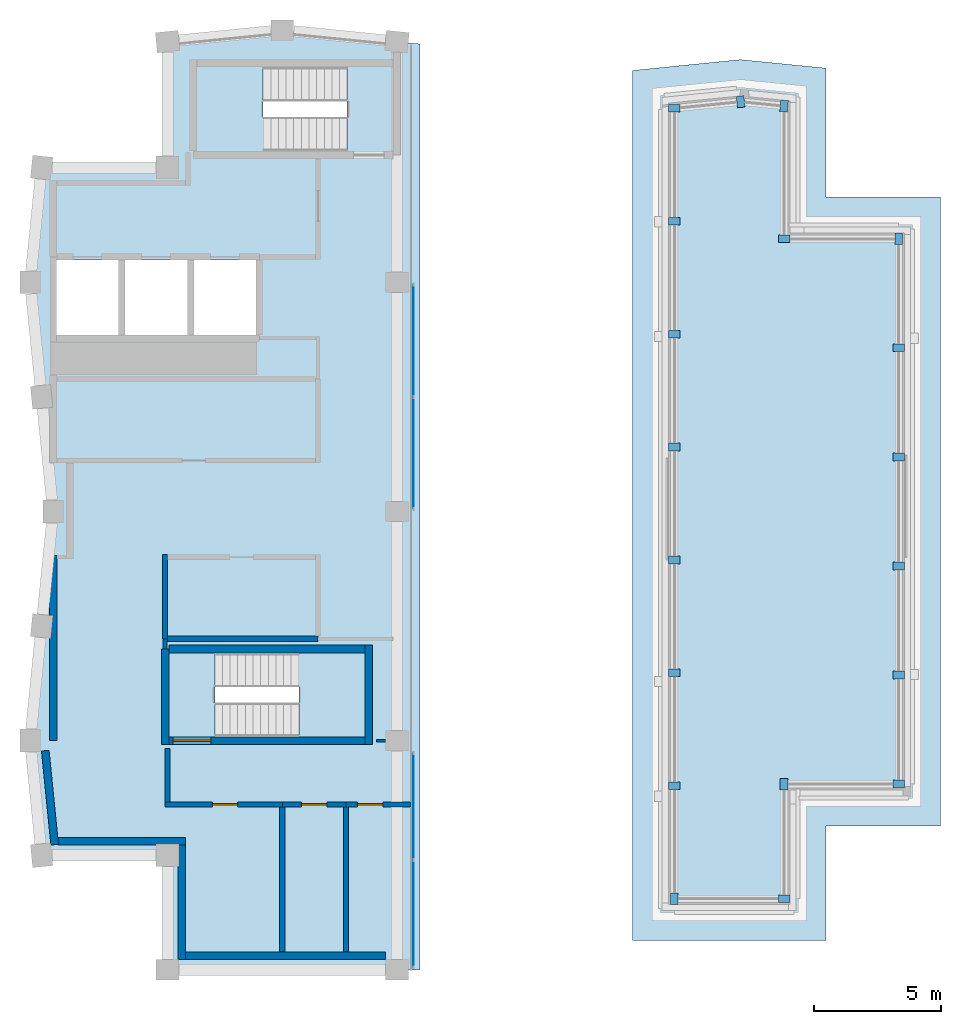
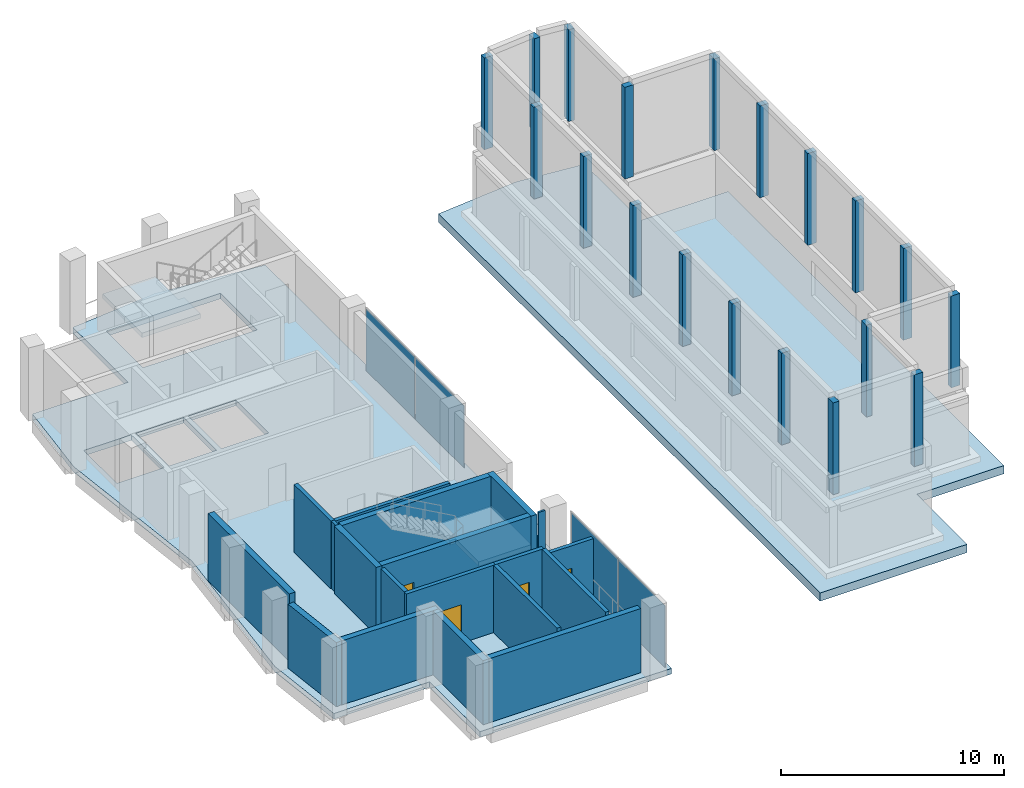
# One storey, part 4 of 8: 23 plates, 19 walls, 4 doors, 4 slabs, 4 openings, 4 elements without a shape of their own.
"""IFC4 building model written with IfcOpenShell, lengths in metres."""

from ifc_helpers import new_model, si_unit, direction, frame, frame_2d, origin, origin_2d, place, context, subcontext, project, spatial, polyline, rectangle, outline, extrude, material, layer, layer_set, type_object, element, fill, aggregate, save


model = new_model("IFC4")

# Units and contexts
model_context = context("Model", 3, precision=1e-05, world=origin(), true_north=direction((0.0, 1.0)))
body_context = subcontext(model_context, "Body", "Model", "MODEL_VIEW")
ifc_project = project(units=[si_unit("LENGTHUNIT", "METRE"), si_unit("AREAUNIT", "SQUARE_METRE"), si_unit("VOLUMEUNIT", "CUBIC_METRE"), si_unit("PLANEANGLEUNIT", "RADIAN"), si_unit("MASSUNIT", "GRAM", prefix="KILO")], contexts=[model_context])

# Site, building, storey
site_placement = place(None, origin())
site = spatial("IfcSite", under=ifc_project, at=site_placement, CompositionType="ELEMENT")
building_placement = place(site_placement, origin())
building = spatial("IfcBuilding", under=site, at=building_placement, Name="Brondeck Convention Tower", CompositionType="ELEMENT")
storey_placement = place(building_placement, frame((0.0, 0.0, 302.800048828125)))
storey = spatial("IfcBuildingStorey", under=building, at=storey_placement, Name="L75", CompositionType="ELEMENT", Elevation=302.800048828125)

# Curtain wall, plates
ifc_material_1 = material(Name="Aluminium, bronze anodised", Category="aluminium")
curtain_wall_type = type_object("IfcCurtainWallType", Name="Crown screen curtain wall", PredefinedType="NOTDEFINED", material=ifc_material_1)
curtain_wall_1_placement = place(storey_placement, origin())
curtain_wall_1 = element("IfcCurtainWall", 1, at=curtain_wall_1_placement, inside=storey, type_object=curtain_wall_type, Name="ENV-CW4-L75-K1-SLOT-W-00-2", PredefinedType="NOTDEFINED")
ifc_material_2 = material(Name="Bronze tinted laminated glass", Category="glass")
ifc_layer_1 = layer(ifc_material_2, 0.007080078125, Name="Outer pane")
ifc_material_3 = material(Name="Argon-filled cavity")
ifc_layer_2 = layer(ifc_material_3, 0.011962890625, Name="Cavity")
ifc_material_4 = material(Name="Clear low-emissivity glass", Category="glass")
ifc_layer_3 = layer(ifc_material_4, 0.007080078125, Name="Inner pane")
ifc_layer_set_1 = layer_set([ifc_layer_1, ifc_layer_2, ifc_layer_3], Name="CW4 glazing panel")
plate_type_1 = type_object("IfcPlateType", Name="CW4 glazing panel", PredefinedType="CURTAIN_PANEL", material=ifc_layer_set_1)
plate_1_placement = place(storey_placement, frame((14.14990234375, 33.41259765625, 0.06005859375), z_axis=(0.0, 0.0, 1.0), x_axis=(0.0, -1.0, 0.0)))
plate_1 = element("IfcPlate", 2, at=plate_1_placement, type_object=plate_type_1, Name="CW4 panel 1.1", PredefinedType="CURTAIN_PANEL", context=body_context, shape_type="SweptSolid", body=[
    extrude(rectangle(XDim=4.155029296875, YDim=0.02587890625, at=origin_2d()), origin(), (0.0, 0.0, 1.0), 3.3798828125),
])
plate_2_placement = place(storey_placement, frame((14.14990234375, 29.197509765625, 0.06005859375), z_axis=(0.0, 0.0, 1.0), x_axis=(0.0, -1.0, 0.0)))
plate_2 = element("IfcPlate", 3, at=plate_2_placement, type_object=plate_type_1, Name="CW4 panel 2.1", PredefinedType="CURTAIN_PANEL", context=body_context, shape_type="SweptSolid", body=[
    extrude(rectangle(XDim=4.155029296875, YDim=0.02587890625, at=origin_2d()), origin(), (0.0, 0.0, 1.0), 3.3798828125),
])
aggregate(curtain_wall_1, [plate_1, plate_2])

curtain_wall_2_placement = place(storey_placement, origin())
curtain_wall_2 = element("IfcCurtainWall", 4, at=curtain_wall_2_placement, inside=storey, type_object=curtain_wall_type, Name="ENV-CW4-L75-K1-SLOT-W-05", PredefinedType="NOTDEFINED")
plate_3_placement = place(storey_placement, frame((14.14990234375, 51.705078125, 0.06005859375), z_axis=(0.0, 0.0, 1.0), x_axis=(0.0, -1.0, 0.0)))
plate_3 = element("IfcPlate", 5, at=plate_3_placement, type_object=plate_type_1, Name="CW4 panel 1.1", PredefinedType="CURTAIN_PANEL", context=body_context, shape_type="SweptSolid", body=[
    extrude(rectangle(XDim=4.35009765625, YDim=0.02587890625, at=origin_2d()), origin(), (0.0, 0.0, 1.0), 3.3798828125),
])
plate_4_placement = place(storey_placement, frame((14.14990234375, 47.294921875, 0.06005859375), z_axis=(0.0, 0.0, 1.0), x_axis=(0.0, -1.0, 0.0)))
plate_4 = element("IfcPlate", 6, at=plate_4_placement, type_object=plate_type_1, Name="CW4 panel 2.1", PredefinedType="CURTAIN_PANEL", context=body_context, shape_type="SweptSolid", body=[
    extrude(rectangle(XDim=4.35009765625, YDim=0.02587890625, at=origin_2d()), origin(), (0.0, 0.0, 1.0), 3.3798828125),
])
aggregate(curtain_wall_2, [plate_3, plate_4])

# Slab
ifc_material_5 = material(Name="Concrete C35/45", Category="concrete")
ifc_layer_4 = layer(ifc_material_5, 0.300048828125)
ifc_layer_set_2 = layer_set([ifc_layer_4], Name="Composite floor slab 300")
slab_type_1 = type_object("IfcSlabType", Name="Composite floor slab 300", PredefinedType="FLOOR", material=ifc_layer_set_2)
slab_1_placement = place(storey_placement, frame((0.0, 0.0, -0.300048828125)))
element("IfcSlab", 7, at=slab_1_placement, inside=storey, type_object=slab_type_1, Name="STR-SL-L75", PredefinedType="FLOOR", context=body_context, shape_type="SweptSolid", body=[
    extrude(outline(polyline([(4.5, 31.5), (-0.449951171875, 31.5), (-0.89990234375, 36.0), (0.0, 45.0), (-0.89990234375, 54.0), (-0.449951171875, 58.5), (4.5, 58.5), (4.5, 63.449951171875), (9.0, 63.89990234375), (14.39990234375, 63.360107421875), (14.39990234375, 63.0), (14.39990234375, 27.0), (4.5, 27.0), (4.5, 31.5)]), holes=[polyline([(6.35205078125, 39.447998046875), (6.35205078125, 36.152099609375), (12.248046875, 36.152099609375), (12.248046875, 39.447998046875), (6.35205078125, 39.447998046875)]), polyline([(0.125, 54.875), (0.125, 51.925048828125), (2.574951171875, 51.925048828125), (2.574951171875, 54.875), (0.125, 54.875)]), polyline([(2.824951171875, 54.875), (2.824951171875, 51.925048828125), (5.27490234375, 51.925048828125), (5.27490234375, 54.875), (2.824951171875, 54.875)]), polyline([(7.97509765625, 54.875), (5.52490234375, 54.875), (5.52490234375, 51.925048828125), (7.97509765625, 51.925048828125), (7.97509765625, 54.875)]), polyline([(5.652099609375, 59.152099609375), (11.548095703125, 59.152099609375), (11.548095703125, 62.447998046875), (5.652099609375, 62.447998046875), (5.652099609375, 59.152099609375)])]), origin(), (0.0, 0.0, 1.0), 0.300048828125),
])

# Stair, slab
ifc_material_6 = material(Name="Precast concrete C50/60", Category="concrete")
stair_type = type_object("IfcStairType", Name="Core stair 24 risers 166.67 mm riser 300 mm going 1350 wide", PredefinedType="HALF_TURN_STAIR", material=ifc_material_6)
stair_1_placement = place(storey_placement, origin())
stair_1 = element("IfcStair", 8, at=stair_1_placement, inside=storey, type_object=stair_type, Name="ST-1 L75 stair", PredefinedType="HALF_TURN_STAIR")
ifc_layer_5 = layer(ifc_material_6, 0.25)
ifc_layer_set_3 = layer_set([ifc_layer_5], Name="Core stair landing 250 Precast concrete C50/60")
slab_type_2 = type_object("IfcSlabType", Name="Core stair landing 250 Precast concrete C50/60", PredefinedType="LANDING", material=ifc_layer_set_3)
slab_2_placement = place(storey_placement, frame((0.0, 0.0, 1.75)))
slab_2 = element("IfcSlab", 9, at=slab_2_placement, type_object=slab_type_2, Name="ST-1 landing 1", PredefinedType="LANDING", context=body_context, shape_type="SweptSolid", body=[
    extrude(outline(polyline([(9.64794921875, 37.5), (9.64990234375, 37.5), (9.64990234375, 38.10009765625), (9.35009765625, 38.10009765625), (9.35009765625, 39.570068359375), (12.3701171875, 39.570068359375), (12.3701171875, 36.030029296875), (9.64794921875, 36.030029296875), (9.64794921875, 37.5)])), origin(), (0.0, 0.0, 1.0), 0.25),
])
aggregate(stair_1, [slab_2])

stair_2_placement = place(storey_placement, origin())
stair_2 = element("IfcStair", 10, at=stair_2_placement, inside=storey, type_object=stair_type, Name="ST-3 L75 stair", PredefinedType="HALF_TURN_STAIR")
slab_3_placement = place(storey_placement, frame((0.0, 0.0, 1.75)))
slab_3 = element("IfcSlab", 11, at=slab_3_placement, type_object=slab_type_2, Name="ST-3 landing 1", PredefinedType="LANDING", context=body_context, shape_type="SweptSolid", body=[
    extrude(outline(polyline([(8.550048828125, 60.5), (8.550048828125, 59.030029296875), (5.530029296875, 59.030029296875), (5.530029296875, 62.570068359375), (8.251953125, 62.570068359375), (8.251953125, 61.10009765625), (8.25, 61.10009765625), (8.25, 60.5), (8.550048828125, 60.5)])), origin(), (0.0, 0.0, 1.0), 0.25),
])
aggregate(stair_2, [slab_3])

# Plates
ifc_layer_6 = layer(ifc_material_6, 0.300048828125)
ifc_layer_set_4 = layer_set([ifc_layer_6], Name="Crown fin FIN-C 300 x 450 Precast concrete C50/60")
plate_type_2 = type_object("IfcPlateType", Name="Crown fin FIN-C 300 x 450 Precast concrete C50/60", PredefinedType="USERDEFINED", material=ifc_layer_set_4)
plate_5_placement = place(storey_placement, frame((0.0, 0.0, 4.47998046875)))
element("IfcPlate", 12, at=plate_5_placement, inside=storey, type_object=plate_type_2, Name="ENV-CF-K2-T2-00-0", ObjectType="FIN-C", PredefinedType="USERDEFINED", context=body_context, shape_type="SweptSolid", body=[
    extrude(outline(polyline([(24.544921875, 30.02001953125), (24.2451171875, 30.02001953125), (24.2451171875, 29.570068359375), (24.544921875, 29.570068359375), (24.544921875, 30.02001953125)])), origin(), (0.0, 0.0, 1.0), 5.02001953125),
])
plate_6_placement = place(storey_placement, frame((0.0, 0.0, 4.47998046875)))
element("IfcPlate", 13, at=plate_6_placement, inside=storey, type_object=plate_type_2, Name="ENV-CF-K2-T2-01-0", ObjectType="FIN-C", PredefinedType="USERDEFINED", context=body_context, shape_type="SweptSolid", body=[
    extrude(outline(polyline([(28.47998046875, 29.945068359375), (28.47998046875, 29.64501953125), (28.929931640625, 29.64501953125), (28.929931640625, 29.945068359375), (28.47998046875, 29.945068359375)])), origin(), (0.0, 0.0, 1.0), 5.02001953125),
])
plate_7_placement = place(storey_placement, frame((0.0, 0.0, 4.47998046875)))
element("IfcPlate", 14, at=plate_7_placement, inside=storey, type_object=plate_type_2, Name="ENV-CF-K2-T2-02-0", ObjectType="FIN-C", PredefinedType="USERDEFINED", context=body_context, shape_type="SweptSolid", body=[
    extrude(outline(polyline([(28.85498046875, 34.52001953125), (28.554931640625, 34.52001953125), (28.554931640625, 34.070068359375), (28.85498046875, 34.070068359375), (28.85498046875, 34.52001953125)])), origin(), (0.0, 0.0, 1.0), 5.02001953125),
])
plate_8_placement = place(storey_placement, frame((0.0, 0.0, 4.47998046875)))
element("IfcPlate", 15, at=plate_8_placement, inside=storey, type_object=plate_type_2, Name="ENV-CF-K2-T2-03-0", ObjectType="FIN-C", PredefinedType="USERDEFINED", context=body_context, shape_type="SweptSolid", body=[
    extrude(outline(polyline([(32.97998046875, 34.445068359375), (32.97998046875, 34.14501953125), (33.429931640625, 34.14501953125), (33.429931640625, 34.445068359375), (32.97998046875, 34.445068359375)])), origin(), (0.0, 0.0, 1.0), 5.02001953125),
])
plate_9_placement = place(storey_placement, frame((0.0, 0.0, 4.47998046875)))
element("IfcPlate", 16, at=plate_9_placement, inside=storey, type_object=plate_type_2, Name="ENV-CF-K2-T2-03-1", ObjectType="FIN-C", PredefinedType="USERDEFINED", context=body_context, shape_type="SweptSolid", body=[
    extrude(outline(polyline([(32.97998046875, 38.72705078125), (32.97998046875, 38.427001953125), (33.429931640625, 38.427001953125), (33.429931640625, 38.72705078125), (32.97998046875, 38.72705078125)])), origin(), (0.0, 0.0, 1.0), 5.02001953125),
])
plate_10_placement = place(storey_placement, frame((0.0, 0.0, 4.47998046875)))
element("IfcPlate", 17, at=plate_10_placement, inside=storey, type_object=plate_type_2, Name="ENV-CF-K2-T2-03-2", ObjectType="FIN-C", PredefinedType="USERDEFINED", context=body_context, shape_type="SweptSolid", body=[
    extrude(outline(polyline([(32.97998046875, 43.009033203125), (32.97998046875, 42.708984375), (33.429931640625, 42.708984375), (33.429931640625, 43.009033203125), (32.97998046875, 43.009033203125)])), origin(), (0.0, 0.0, 1.0), 5.02001953125),
])
plate_11_placement = place(storey_placement, frame((0.0, 0.0, 4.47998046875)))
element("IfcPlate", 18, at=plate_11_placement, inside=storey, type_object=plate_type_2, Name="ENV-CF-K2-T2-03-3", ObjectType="FIN-C", PredefinedType="USERDEFINED", context=body_context, shape_type="SweptSolid", body=[
    extrude(outline(polyline([(32.97998046875, 47.291015625), (32.97998046875, 46.990966796875), (33.429931640625, 46.990966796875), (33.429931640625, 47.291015625), (32.97998046875, 47.291015625)])), origin(), (0.0, 0.0, 1.0), 5.02001953125),
])
plate_12_placement = place(storey_placement, frame((0.0, 0.0, 4.47998046875)))
element("IfcPlate", 19, at=plate_12_placement, inside=storey, type_object=plate_type_2, Name="ENV-CF-K2-T2-03-4", ObjectType="FIN-C", PredefinedType="USERDEFINED", context=body_context, shape_type="SweptSolid", body=[
    extrude(outline(polyline([(32.97998046875, 51.572998046875), (32.97998046875, 51.27294921875), (33.429931640625, 51.27294921875), (33.429931640625, 51.572998046875), (32.97998046875, 51.572998046875)])), origin(), (0.0, 0.0, 1.0), 5.02001953125),
])
plate_13_placement = place(storey_placement, frame((0.0, 0.0, 4.47998046875)))
element("IfcPlate", 20, at=plate_13_placement, inside=storey, type_object=plate_type_2, Name="ENV-CF-K2-T2-04-0", ObjectType="FIN-C", PredefinedType="USERDEFINED", context=body_context, shape_type="SweptSolid", body=[
    extrude(outline(polyline([(33.054931640625, 55.47998046875), (33.35498046875, 55.47998046875), (33.35498046875, 55.929931640625), (33.054931640625, 55.929931640625), (33.054931640625, 55.47998046875)])), origin(), (0.0, 0.0, 1.0), 5.02001953125),
])
plate_14_placement = place(storey_placement, frame((0.0, 0.0, 4.47998046875)))
element("IfcPlate", 21, at=plate_14_placement, inside=storey, type_object=plate_type_2, Name="ENV-CF-K2-T2-05-0", ObjectType="FIN-C", PredefinedType="USERDEFINED", context=body_context, shape_type="SweptSolid", body=[
    extrude(outline(polyline([(28.47998046875, 55.85498046875), (28.47998046875, 55.554931640625), (28.929931640625, 55.554931640625), (28.929931640625, 55.85498046875), (28.47998046875, 55.85498046875)])), origin(), (0.0, 0.0, 1.0), 5.02001953125),
])
plate_15_placement = place(storey_placement, frame((0.0, 0.0, 4.47998046875)))
element("IfcPlate", 22, at=plate_15_placement, inside=storey, type_object=plate_type_2, Name="ENV-CF-K2-T2-06-0", ObjectType="FIN-C", PredefinedType="USERDEFINED", context=body_context, shape_type="SweptSolid", body=[
    extrude(outline(polyline([(28.533447265625, 60.711669921875), (28.831787109375, 60.681884765625), (28.876708984375, 61.12939453125), (28.578125, 61.159423828125), (28.533447265625, 60.711669921875)])), origin(), (0.0, 0.0, 1.0), 5.02001953125),
])
plate_16_placement = place(storey_placement, frame((0.0, 0.0, 4.47998046875)))
element("IfcPlate", 23, at=plate_16_placement, inside=storey, type_object=plate_type_2, Name="ENV-CF-K2-T2-07-0", ObjectType="FIN-C", PredefinedType="USERDEFINED", context=body_context, shape_type="SweptSolid", body=[
    extrude(outline(polyline([(26.873046875, 60.852294921875), (27.171630859375, 60.882080078125), (27.126953125, 61.329833984375), (26.828369140625, 61.300048828125), (26.873046875, 60.852294921875)])), origin(), (0.0, 0.0, 1.0), 5.02001953125),
])
plate_17_placement = place(storey_placement, frame((0.0, 0.0, 4.47998046875)))
element("IfcPlate", 24, at=plate_17_placement, inside=storey, type_object=plate_type_2, Name="ENV-CF-K2-T2-08-0", ObjectType="FIN-C", PredefinedType="USERDEFINED", context=body_context, shape_type="SweptSolid", body=[
    extrude(outline(polyline([(24.6201171875, 60.6806640625), (24.6201171875, 60.980712890625), (24.169921875, 60.980712890625), (24.169921875, 60.6806640625), (24.6201171875, 60.6806640625)])), origin(), (0.0, 0.0, 1.0), 5.02001953125),
])
plate_18_placement = place(storey_placement, frame((0.0, 0.0, 4.47998046875)))
element("IfcPlate", 25, at=plate_18_placement, inside=storey, type_object=plate_type_2, Name="ENV-CF-K2-T2-08-1", ObjectType="FIN-C", PredefinedType="USERDEFINED", context=body_context, shape_type="SweptSolid", body=[
    extrude(outline(polyline([(24.6201171875, 56.246826171875), (24.6201171875, 56.546875), (24.169921875, 56.546875), (24.169921875, 56.246826171875), (24.6201171875, 56.246826171875)])), origin(), (0.0, 0.0, 1.0), 5.02001953125),
])
plate_19_placement = place(storey_placement, frame((0.0, 0.0, 4.47998046875)))
element("IfcPlate", 26, at=plate_19_placement, inside=storey, type_object=plate_type_2, Name="ENV-CF-K2-T2-08-2", ObjectType="FIN-C", PredefinedType="USERDEFINED", context=body_context, shape_type="SweptSolid", body=[
    extrude(outline(polyline([(24.6201171875, 51.813232421875), (24.6201171875, 52.11328125), (24.169921875, 52.11328125), (24.169921875, 51.813232421875), (24.6201171875, 51.813232421875)])), origin(), (0.0, 0.0, 1.0), 5.02001953125),
])
plate_20_placement = place(storey_placement, frame((0.0, 0.0, 4.47998046875)))
element("IfcPlate", 27, at=plate_20_placement, inside=storey, type_object=plate_type_2, Name="ENV-CF-K2-T2-08-3", ObjectType="FIN-C", PredefinedType="USERDEFINED", context=body_context, shape_type="SweptSolid", body=[
    extrude(outline(polyline([(24.6201171875, 47.379638671875), (24.6201171875, 47.6796875), (24.169921875, 47.6796875), (24.169921875, 47.379638671875), (24.6201171875, 47.379638671875)])), origin(), (0.0, 0.0, 1.0), 5.02001953125),
])
plate_21_placement = place(storey_placement, frame((0.0, 0.0, 4.47998046875)))
element("IfcPlate", 28, at=plate_21_placement, inside=storey, type_object=plate_type_2, Name="ENV-CF-K2-T2-08-4", ObjectType="FIN-C", PredefinedType="USERDEFINED", context=body_context, shape_type="SweptSolid", body=[
    extrude(outline(polyline([(24.6201171875, 42.946044921875), (24.6201171875, 43.24609375), (24.169921875, 43.24609375), (24.169921875, 42.946044921875), (24.6201171875, 42.946044921875)])), origin(), (0.0, 0.0, 1.0), 5.02001953125),
])
plate_22_placement = place(storey_placement, frame((0.0, 0.0, 4.47998046875)))
element("IfcPlate", 29, at=plate_22_placement, inside=storey, type_object=plate_type_2, Name="ENV-CF-K2-T2-08-5", ObjectType="FIN-C", PredefinedType="USERDEFINED", context=body_context, shape_type="SweptSolid", body=[
    extrude(outline(polyline([(24.6201171875, 38.51220703125), (24.6201171875, 38.812255859375), (24.169921875, 38.812255859375), (24.169921875, 38.51220703125), (24.6201171875, 38.51220703125)])), origin(), (0.0, 0.0, 1.0), 5.02001953125),
])
plate_23_placement = place(storey_placement, frame((0.0, 0.0, 4.47998046875)))
element("IfcPlate", 30, at=plate_23_placement, inside=storey, type_object=plate_type_2, Name="ENV-CF-K2-T2-08-6", ObjectType="FIN-C", PredefinedType="USERDEFINED", context=body_context, shape_type="SweptSolid", body=[
    extrude(outline(polyline([(24.6201171875, 34.07861328125), (24.6201171875, 34.378662109375), (24.169921875, 34.378662109375), (24.169921875, 34.07861328125), (24.6201171875, 34.07861328125)])), origin(), (0.0, 0.0, 1.0), 5.02001953125),
])

# Slab
ifc_layer_7 = layer(ifc_material_5, 0.449951171875)
ifc_layer_set_5 = layer_set([ifc_layer_7], Name="Crown tier slab 450")
slab_type_3 = type_object("IfcSlabType", Name="Crown tier slab 450", PredefinedType="ROOF", material=ifc_layer_set_5)
slab_4_placement = place(storey_placement, frame((0.0, 0.0, 0.050048828125)))
element("IfcSlab", 31, at=slab_4_placement, inside=storey, type_object=slab_type_3, Name="ENV-CT-K2-T1-SL", PredefinedType="ROOF", context=body_context, shape_type="SweptSolid", body=[
    extrude(outline(polyline([(22.75, 28.14990234375), (30.35009765625, 28.14990234375), (30.35009765625, 32.64990234375), (34.85009765625, 32.64990234375), (34.85009765625, 57.35009765625), (30.35009765625, 57.35009765625), (30.35009765625, 62.4091796875), (27.0, 62.744384765625), (22.75, 62.3193359375), (22.75, 28.14990234375)])), origin(), (0.0, 0.0, 1.0), 0.449951171875),
])

# Walls
ifc_material_7 = material(Name="Concrete C50/60", Category="concrete")
ifc_layer_8 = layer(ifc_material_7, 0.300048828125)
ifc_layer_set_6 = layer_set([ifc_layer_8], Name="Core outer wall 300 Concrete C50/60")
wall_type_1 = type_object("IfcWallType", Name="Core outer wall 300 Concrete C50/60", PredefinedType="SHEAR", material=ifc_layer_set_6)
wall_1_placement = place(storey_placement, frame((0.0, 36.0, 0.0), z_axis=(0.0, 0.0, 1.0), x_axis=(0.0, 1.0, 0.0)))
element("IfcWall", 32, at=wall_1_placement, inside=storey, type_object=wall_type_1, Name="L75 core wall", PredefinedType="SHEAR", context=body_context, shape_type="SweptSolid", body=[
    extrude(rectangle(XDim=7.27490234375, YDim=0.300048828125, at=frame_2d((3.637451171875, 0.0))), origin(), (0.0, 0.0, 1.0), 3.699951171875),
])
ifc_material_8 = material(Name="Fire-rated gypsum board partition")
ifc_layer_9 = layer(ifc_material_8, 0.14990234375)
ifc_layer_set_7 = layer_set([ifc_layer_9], Name="Core partition 150 EI 60")
wall_type_2 = type_object("IfcWallType", Name="Core partition 150 EI 60", PredefinedType="PARTITIONING", material=ifc_layer_set_7)
wall_2_placement = place(storey_placement, frame((4.39990234375, 39.60009765625, 0.0), z_axis=(0.0, 0.0, 1.0), x_axis=(0.0, 1.0, 0.0)))
element("IfcWall", 33, at=wall_2_placement, inside=storey, type_object=wall_type_2, Name="L75 core wall", PredefinedType="PARTITIONING", context=body_context, shape_type="SweptSolid", body=[
    extrude(rectangle(XDim=0.39990234375, YDim=0.14990234375, at=frame_2d((0.199951171875, 0.0))), origin(), (0.0, 0.0, 1.0), 3.699951171875),
])
ifc_material_9 = material(Name="Precast concrete C50/60 bronze finish", Category="concrete")
ifc_layer_10 = layer(ifc_material_9, 0.070068359375, Name="Bronze precast facing")
ifc_material_10 = material(Name="Mineral wool")
ifc_layer_11 = layer(ifc_material_10, 0.159912109375, Name="Insulation")
ifc_layer_12 = layer(ifc_material_5, 0.070068359375, Name="Backing")
ifc_layer_set_8 = layer_set([ifc_layer_10, ifc_layer_11, ifc_layer_12], Name="External infill wall, precast concrete C50/60 bronze facing")
wall_type_3 = type_object("IfcWallType", Name="External infill wall, precast concrete C50/60 bronze facing", PredefinedType="SOLIDWALL", material=ifc_layer_set_8)
wall_3_placement = place(storey_placement, frame((13.050048828125, 27.550048828125, 0.0), z_axis=(0.0, 0.0, 1.0), x_axis=(-1.0, 0.0, 0.0)))
element("IfcWall", 34, at=wall_3_placement, inside=storey, type_object=wall_type_3, Name="ENV-EW-L75-K1-K-S-01", PredefinedType="SOLIDWALL", context=body_context, shape_type="SweptSolid", body=[
    extrude(rectangle(XDim=7.85009765625, YDim=0.300048828125, at=frame_2d((3.925048828125, 0.0))), origin(), (0.0, 0.0, 1.0), 3.5),
])
wall_4_placement = place(storey_placement, frame((0.061279296875, 31.914794921875, 0.0), z_axis=(0.0, 0.0, 1.0), x_axis=(-0.099549320092, 0.995032629048, 0.0)))
element("IfcWall", 35, at=wall_4_placement, inside=storey, type_object=wall_type_3, Name="ENV-EW-L75-K1-B-W-06", PredefinedType="SOLIDWALL", context=body_context, shape_type="SweptSolid", body=[
    extrude(rectangle(XDim=3.71044921875, YDim=0.300048828125, at=frame_2d((1.855224609375, 0.0))), origin(), (0.0, 0.0, 1.0), 3.5),
])
wall_5_placement = place(storey_placement, frame((5.199951171875, 32.050048828125, 0.0), z_axis=(0.0, 0.0, 1.0), x_axis=(-1.0, 0.0, 0.0)))
element("IfcWall", 36, at=wall_5_placement, inside=storey, type_object=wall_type_3, Name="ENV-EW-L75-K1-NC-KSW-01", PredefinedType="SOLIDWALL", context=body_context, shape_type="SweptSolid", body=[
    extrude(rectangle(XDim=5.000244140625, YDim=0.300048828125, at=frame_2d((2.5, 0.0))), origin(), (0.0, 0.0, 1.0), 3.5),
])
wall_6_placement = place(storey_placement, frame((5.050048828125, 27.39990234375, 0.0), z_axis=(0.0, 0.0, 1.0), x_axis=(0.0, 1.0, 0.0)))
element("IfcWall", 37, at=wall_6_placement, inside=storey, type_object=wall_type_3, Name="ENV-EW-L75-K1-NC-KSW-02", PredefinedType="SOLIDWALL", context=body_context, shape_type="SweptSolid", body=[
    extrude(rectangle(XDim=4.502197265625, YDim=0.300048828125, at=frame_2d((2.2509765625, 0.0))), origin(), (0.0, 0.0, 1.0), 3.5),
])
ifc_material_11 = material(Name="Concrete block wall C16/20", Category="concrete")
ifc_layer_13 = layer(ifc_material_11, 0.199951171875)
ifc_layer_set_9 = layer_set([ifc_layer_13], Name="Plant room wall 200")
wall_type_4 = type_object("IfcWallType", Name="Plant room wall 200", PredefinedType="PARTITIONING", material=ifc_layer_set_9)
for number, where, z_axis, x_axis, name in (
    (38, (9.0, 33.39990234375, 0.0), (0.0, 0.0, 1.0), (0.0, -1.0, 0.0), "FLR-L75-W001"),
    (39, (11.5, 33.39990234375, 0.0), (0.0, 0.0, 1.0), (0.0, -1.0, 0.0), "FLR-L75-W002"),
):
    element("IfcWall", number, at=place(storey_placement, frame(where, z_axis=z_axis, x_axis=x_axis)), inside=storey, type_object=wall_type_4, Name=name, PredefinedType="PARTITIONING", context=body_context, shape_type="SweptSolid", body=[
        extrude(rectangle(XDim=5.679931640625, YDim=0.199951171875, at=frame_2d((2.83984375, 0.0))), origin(), (0.0, 0.0, 1.0), 3.679931640625),
    ])

# Wall, opening, door
wall_7_placement = place(storey_placement, frame((9.0, 33.5, 0.0), z_axis=(0.0, 0.0, 1.0), x_axis=(-1.0, 0.0, 0.0)))
wall_7 = element("IfcWall", 40, at=wall_7_placement, inside=storey, type_object=wall_type_4, Name="FLR-L75-W003", PredefinedType="PARTITIONING", context=body_context, shape_type="SweptSolid", body=[
    extrude(rectangle(XDim=4.60009765625, YDim=0.199951171875, at=frame_2d((2.300048828125, 0.0))), origin(), (0.0, 0.0, 1.0), 3.679931640625),
])
opening_1_placement = place(wall_7_placement, frame((1.75, 0.0, 0.0)))
opening_1 = element("IfcOpeningElement", 41, at=opening_1_placement, cuts=wall_7, Name="Opening CR-C-001", PredefinedType="OPENING", context=body_context, shape_type="SweptSolid", body=[
    extrude(rectangle(XDim=1.0, YDim=2.10009765625, at=frame_2d((0.5, 1.050048828125))), frame((0.0, 0.10986328125, 0.0), z_axis=(0.0, -1.0, 0.0), x_axis=(1.0, 0.0, 0.0)), (0.0, 0.0, 1.0), 0.219970703125),
])
ifc_material_12 = material(Name="Steel fire door leaf", Category="steel")
door_type_1 = type_object("IfcDoorType", Name="Plant room door 1000", OperationType="NOTDEFINED", PredefinedType="DOOR", material=ifc_material_12)
door_1_placement = place(opening_1_placement, origin())
door_1 = element("IfcDoor", 42, at=door_1_placement, inside=storey, type_object=door_type_1, Name="Door CR-C-001", OperationType="SINGLE_SWING_RIGHT", OverallHeight=2.10009765625, OverallWidth=1.0, PredefinedType="DOOR", context=body_context, shape_type="SweptSolid", body=[
    extrude(rectangle(XDim=1.0, YDim=2.10009765625, at=frame_2d((0.5, 1.050048828125))), frame((0.0, 0.02490234375, 0.0), z_axis=(0.0, -1.0, 0.0), x_axis=(1.0, 0.0, 0.0)), (0.0, 0.0, 1.0), 0.050048828125),
])
fill(opening_1, door_1)

wall_8_placement = place(storey_placement, frame((11.5, 33.5, 0.0), z_axis=(0.0, 0.0, 1.0), x_axis=(-1.0, 0.0, 0.0)))
wall_8 = element("IfcWall", 43, at=wall_8_placement, inside=storey, type_object=wall_type_4, Name="FLR-L75-W004", PredefinedType="PARTITIONING", context=body_context, shape_type="SweptSolid", body=[
    extrude(rectangle(XDim=2.5, YDim=0.199951171875, at=frame_2d((1.25, 0.0))), origin(), (0.0, 0.0, 1.0), 3.679931640625),
])
opening_2_placement = place(wall_8_placement, frame((0.75, 0.0, 0.0)))
opening_2 = element("IfcOpeningElement", 44, at=opening_2_placement, cuts=wall_8, Name="Opening CR-C-002", PredefinedType="OPENING", context=body_context, shape_type="SweptSolid", body=[
    extrude(rectangle(XDim=1.0, YDim=2.10009765625, at=frame_2d((0.5, 1.050048828125))), frame((0.0, 0.10986328125, 0.0), z_axis=(0.0, -1.0, 0.0), x_axis=(1.0, 0.0, 0.0)), (0.0, 0.0, 1.0), 0.219970703125),
])
door_2_placement = place(opening_2_placement, origin())
door_2 = element("IfcDoor", 45, at=door_2_placement, inside=storey, type_object=door_type_1, Name="Door CR-C-002", OperationType="SINGLE_SWING_RIGHT", OverallHeight=2.10009765625, OverallWidth=1.0, PredefinedType="DOOR", context=body_context, shape_type="SweptSolid", body=[
    extrude(rectangle(XDim=1.0, YDim=2.10009765625, at=frame_2d((0.5, 1.050048828125))), frame((0.0, 0.02490234375, 0.0), z_axis=(0.0, -1.0, 0.0), x_axis=(1.0, 0.0, 0.0)), (0.0, 0.0, 1.0), 0.050048828125),
])
fill(opening_2, door_2)

wall_9_placement = place(storey_placement, frame((14.06005859375, 33.5, 0.0), z_axis=(0.0, 0.0, 1.0), x_axis=(-1.0, 0.0, 0.0)))
wall_9 = element("IfcWall", 46, at=wall_9_placement, inside=storey, type_object=wall_type_4, Name="FLR-L75-W005", PredefinedType="PARTITIONING", context=body_context, shape_type="SweptSolid", body=[
    extrude(rectangle(XDim=2.56005859375, YDim=0.199951171875, at=frame_2d((1.280029296875, 0.0))), origin(), (0.0, 0.0, 1.0), 3.329833984375),
])
opening_3_placement = place(wall_9_placement, frame((1.110107421875, 0.0, 0.0)))
opening_3 = element("IfcOpeningElement", 47, at=opening_3_placement, cuts=wall_9, Name="Opening CR-C-003", PredefinedType="OPENING", context=body_context, shape_type="SweptSolid", body=[
    extrude(rectangle(XDim=1.0, YDim=2.10009765625, at=frame_2d((0.5, 1.050048828125))), frame((0.0, 0.10986328125, 0.0), z_axis=(0.0, -1.0, 0.0), x_axis=(1.0, 0.0, 0.0)), (0.0, 0.0, 1.0), 0.219970703125),
])
door_3_placement = place(opening_3_placement, origin())
door_3 = element("IfcDoor", 48, at=door_3_placement, inside=storey, type_object=door_type_1, Name="Door CR-C-003", OperationType="SINGLE_SWING_LEFT", OverallHeight=2.10009765625, OverallWidth=1.0, PredefinedType="DOOR", context=body_context, shape_type="SweptSolid", body=[
    extrude(rectangle(XDim=1.0, YDim=2.10009765625, at=frame_2d((0.5, 1.050048828125))), frame((0.0, 0.02490234375, 0.0), z_axis=(0.0, -1.0, 0.0), x_axis=(1.0, 0.0, 0.0)), (0.0, 0.0, 1.0), 0.050048828125),
])
fill(opening_3, door_3)

# Walls
wall_10_placement = place(storey_placement, frame((4.5, 33.60009765625, 0.0), z_axis=(0.0, 0.0, 1.0), x_axis=(0.0, 1.0, 0.0)))
element("IfcWall", 49, at=wall_10_placement, inside=storey, type_object=wall_type_4, Name="FLR-L75-W006", PredefinedType="PARTITIONING", context=body_context, shape_type="SweptSolid", body=[
    extrude(rectangle(XDim=2.099853515625, YDim=0.199951171875, at=frame_2d((1.0498046875, 0.0))), origin(), (0.0, 0.0, 1.0), 3.679931640625),
])
ifc_layer_14 = layer(ifc_material_8, 0.199951171875)
ifc_layer_set_10 = layer_set([ifc_layer_14], Name="Plant room wall 200 EI 120")
wall_type_5 = type_object("IfcWallType", Name="Plant room wall 200 EI 120", PredefinedType="PARTITIONING", material=ifc_layer_set_10)
wall_11_placement = place(storey_placement, frame((4.5, 40.0, 0.0), z_axis=(0.0, 0.0, 1.0), x_axis=(1.0, 0.0, 0.0)))
element("IfcWall", 50, at=wall_11_placement, inside=storey, type_object=wall_type_5, Name="L75 core wall", PredefinedType="PARTITIONING", context=body_context, shape_type="SweptSolid", body=[
    extrude(rectangle(XDim=5.89990234375, YDim=0.199951171875, at=frame_2d((2.949951171875, 0.0))), origin(), (0.0, 0.0, 1.0), 3.699951171875),
])
wall_12_placement = place(storey_placement, frame((4.39990234375, 40.0, 0.0), z_axis=(0.0, 0.0, 1.0), x_axis=(0.0, 1.0, 0.0)))
element("IfcWall", 51, at=wall_12_placement, inside=storey, type_object=wall_type_5, Name="L75 core wall", PredefinedType="PARTITIONING", context=body_context, shape_type="SweptSolid", body=[
    extrude(rectangle(XDim=3.300048828125, YDim=0.199951171875, at=frame_2d((1.64990234375, 0.0))), origin(), (0.0, 0.0, 1.0), 3.699951171875),
])
ifc_material_13 = material(Name="Gypsum board partition on steel studs", Category="steel")
ifc_layer_15 = layer(ifc_material_13, 0.10009765625)
ifc_layer_set_11 = layer_set([ifc_layer_15], Name="Room partition 100")
wall_type_6 = type_object("IfcWallType", Name="Room partition 100", PredefinedType="PARTITIONING", material=ifc_layer_set_11)
wall_13_placement = place(storey_placement, frame((12.699951171875, 36.0, 0.0), z_axis=(0.0, 0.0, 1.0), x_axis=(1.0, 0.0, 0.0)))
element("IfcWall", 52, at=wall_13_placement, inside=storey, type_object=wall_type_6, Name="FLR-L75-W007", PredefinedType="PARTITIONING", context=body_context, shape_type="SweptSolid", body=[
    extrude(rectangle(XDim=0.344970703125, YDim=0.10009765625, at=frame_2d((0.17236328125, 0.0))), origin(), (0.0, 0.0, 1.0), 3.679931640625),
])

# Wall, opening, door
ifc_layer_16 = layer(ifc_material_7, 0.300048828125)
ifc_layer_set_12 = layer_set([ifc_layer_16], Name="Stair enclosure wall 300 Concrete C50/60")
wall_type_7 = type_object("IfcWallType", Name="Stair enclosure wall 300 Concrete C50/60", PredefinedType="SHEAR", material=ifc_layer_set_12)
wall_14_placement = place(storey_placement, frame((4.550048828125, 36.0, 0.0), z_axis=(0.0, 0.0, 1.0), x_axis=(1.0, 0.0, 0.0)))
wall_14 = element("IfcWall", 53, at=wall_14_placement, inside=storey, type_object=wall_type_7, Name="L75 core wall", PredefinedType="SHEAR", context=body_context, shape_type="SweptSolid", body=[
    extrude(rectangle(XDim=7.699951171875, YDim=0.300048828125, at=frame_2d((3.85009765625, 0.0))), origin(), (0.0, 0.0, 1.0), 3.699951171875),
])
opening_4_placement = place(wall_14_placement, frame((0.14990234375, 0.0, 0.0)))
opening_4 = element("IfcOpeningElement", 54, at=opening_4_placement, cuts=wall_14, Name="Opening C43-04", PredefinedType="OPENING", context=body_context, shape_type="SweptSolid", body=[
    extrude(rectangle(XDim=1.5, YDim=2.199951171875, at=frame_2d((0.75, 1.10009765625))), frame((0.0, 0.159912109375, 0.0), z_axis=(0.0, -1.0, 0.0), x_axis=(1.0, 0.0, 0.0)), (0.0, 0.0, 1.0), 0.320068359375),
])
ifc_material_14 = material(Name="Steel fire door", Category="steel")
door_type_2 = type_object("IfcDoorType", Name="Stair door 1500x2200 EI 90", OperationType="NOTDEFINED", PredefinedType="DOOR", material=ifc_material_14)
door_4_placement = place(opening_4_placement, origin())
door_4 = element("IfcDoor", 55, at=door_4_placement, inside=storey, type_object=door_type_2, Name="L75 Stair door ST-1", OperationType="SINGLE_SWING_RIGHT", OverallHeight=2.199951171875, OverallWidth=1.5, PredefinedType="DOOR", context=body_context, shape_type="SweptSolid", body=[
    extrude(rectangle(XDim=1.5, YDim=2.199951171875, at=frame_2d((0.75, 1.10009765625))), frame((0.0, 0.02490234375, 0.0), z_axis=(0.0, -1.0, 0.0), x_axis=(1.0, 0.0, 0.0)), (0.0, 0.0, 1.0), 0.050048828125),
])
fill(opening_4, door_4)

# Walls
wall_15_placement = place(storey_placement, frame((4.550048828125, 39.60009765625, 0.0), z_axis=(0.0, 0.0, 1.0), x_axis=(1.0, 0.0, 0.0)))
element("IfcWall", 56, at=wall_15_placement, inside=storey, type_object=wall_type_7, Name="L75 core wall", PredefinedType="SHEAR", context=body_context, shape_type="SweptSolid", body=[
    extrude(rectangle(XDim=7.699951171875, YDim=0.300048828125, at=frame_2d((3.85009765625, 0.0))), origin(), (0.0, 0.0, 1.0), 3.699951171875),
])
wall_16_placement = place(storey_placement, frame((4.39990234375, 35.85009765625, 0.0), z_axis=(0.0, 0.0, 1.0), x_axis=(0.0, 1.0, 0.0)))
element("IfcWall", 57, at=wall_16_placement, inside=storey, type_object=wall_type_7, Name="L75 core wall", PredefinedType="SHEAR", context=body_context, shape_type="SweptSolid", body=[
    extrude(rectangle(XDim=3.75, YDim=0.300048828125, at=frame_2d((1.875, 0.0))), origin(), (0.0, 0.0, 1.0), 3.699951171875),
])
wall_17_placement = place(storey_placement, frame((12.39990234375, 35.85009765625, 0.0), z_axis=(0.0, 0.0, 1.0), x_axis=(0.0, 1.0, 0.0)))
element("IfcWall", 58, at=wall_17_placement, inside=storey, type_object=wall_type_7, Name="L75 core wall", PredefinedType="SHEAR", context=body_context, shape_type="SweptSolid", body=[
    extrude(rectangle(XDim=3.89990234375, YDim=0.300048828125, at=frame_2d((1.949951171875, 0.0))), origin(), (0.0, 0.0, 1.0), 3.699951171875),
])

save(model, "model.ifc")
